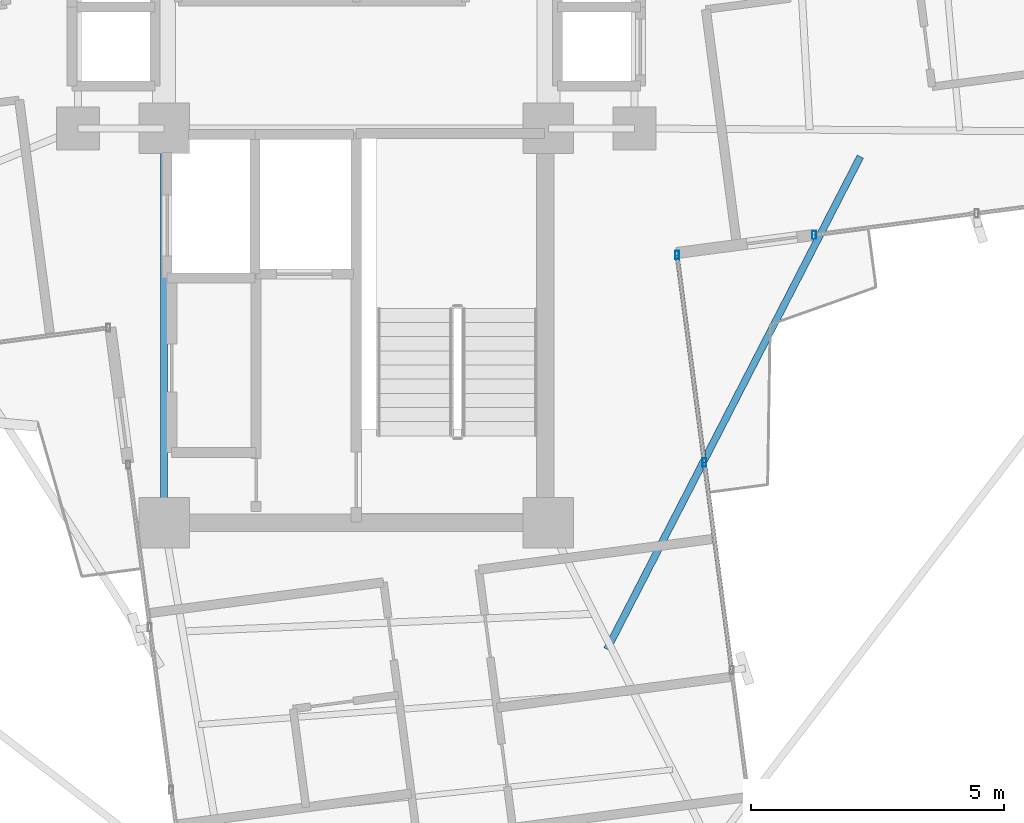
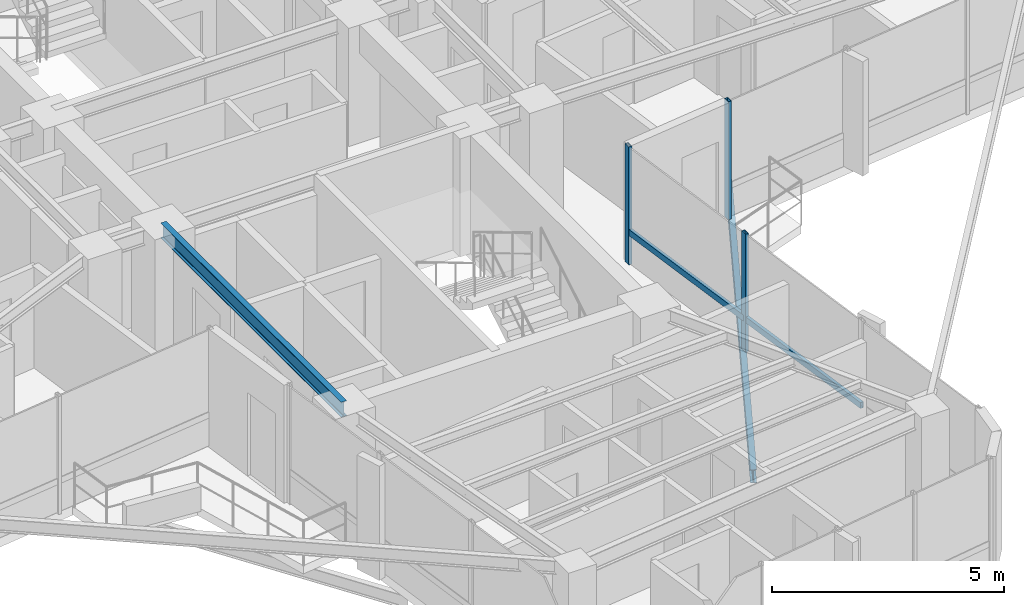
# One storey, part 5 of 22: 5 members, 2 beams, 2 elements without a shape of their own.
"""IFC4 building model written with IfcOpenShell, lengths in metres."""

from ifc_helpers import new_model, si_unit, direction, frame, origin, origin_2d, place, context, subcontext, project, spatial, hollow_rectangle, i_section, extrude, source, transform, mapped, material, material_profile, profile_set, type_object, element, aggregate, save


model = new_model("IFC4")

# Units and contexts
model_context = context("Model", 3, precision=1e-05, world=origin(), true_north=direction((0.0, 1.0)))
body_context = subcontext(model_context, "Body", "Model", "MODEL_VIEW")
ifc_project = project(units=[si_unit("LENGTHUNIT", "METRE"), si_unit("AREAUNIT", "SQUARE_METRE"), si_unit("VOLUMEUNIT", "CUBIC_METRE"), si_unit("PLANEANGLEUNIT", "RADIAN"), si_unit("MASSUNIT", "GRAM", prefix="KILO")], contexts=[model_context])

# Site, building, storey
site_placement = place(None, origin())
site = spatial("IfcSite", under=ifc_project, at=site_placement, CompositionType="ELEMENT")
building_placement = place(site_placement, origin())
building = spatial("IfcBuilding", under=site, at=building_placement, Name="Sahyath Konkavel Grand Hotel", CompositionType="ELEMENT")
storey_placement = place(building_placement, frame((0.0, 0.0, 206.5)))
storey = spatial("IfcBuildingStorey", under=building, at=storey_placement, Name="L57", CompositionType="ELEMENT", Elevation=206.5)

# Beam
ifc_material_1 = material(Name="Steel E350", Category="steel")
ifc_material_profile_1 = material_profile(ifc_material_1, i_section(OverallWidth=0.139892578125, OverallDepth=0.39990234375, WebThickness=0.0087890625, FlangeThickness=0.01611328125, FilletRadius=0.013916015625, at=origin_2d()), Name="ISMB 400")
ifc_profile_set_1 = profile_set([ifc_material_profile_1], Name="Steel E350")
beam_type_1 = type_object("IfcBeamType", Name="BM-ISMB400", PredefinedType="BEAM", material=ifc_profile_set_1)
shared_shape_1 = source(origin(), body_context, "Body", "SweptSolid", [
    extrude(i_section(OverallWidth=0.139892578125, OverallDepth=0.39990234375, WebThickness=0.0087890625, FlangeThickness=0.01611328125, FilletRadius=0.013916015625, at=origin_2d()), origin(), (0.0, 0.0, 1.0), 7.800048828125),
])
beam_1_placement = place(storey_placement, frame((-3.800048828125, -10.199951171875, 2.909912109375), z_axis=(0.0, 1.0, 0.0), x_axis=(-1.0, 0.0, 0.0)))
element("IfcBeam", 1, at=beam_1_placement, inside=storey, type_object=beam_type_1, Name="str:bm:L57:SC-W", PredefinedType="BEAM", context=body_context, shape_type="MappedRepresentation", body=[
    mapped(shared_shape_1, transform((0.0, 0.0, 0.0), scale=1.0)),
])

# Curtain wall, member
ifc_material_2 = material(Name="Anodised Bronze Aluminium & Low-E Glazing", Category="aluminium")
curtain_wall_type = type_object("IfcCurtainWallType", Name="CW-ZONE4", PredefinedType="NOTDEFINED", material=ifc_material_2)
curtain_wall_1_placement = place(storey_placement, origin())
curtain_wall_1 = element("IfcCurtainWall", 2, at=curtain_wall_1_placement, inside=storey, type_object=curtain_wall_type, Name="L57 Unitised Curtain Wall F0", PredefinedType="NOTDEFINED")
ifc_material_3 = material(Name="Anodised Bronze Aluminium", Category="aluminium")
ifc_material_profile_2 = material_profile(ifc_material_3, hollow_rectangle(XDim=0.080078125, YDim=0.159912109375, WallThickness=0.006103515625, at=origin_2d()), Name="RHS 160x80x6")
ifc_profile_set_2 = profile_set([ifc_material_profile_2], Name="Anodised Bronze Aluminium")
member_type_1 = type_object("IfcMemberType", Name="CW-MUL-160", PredefinedType="MULLION", material=ifc_profile_set_2)
shared_shape_2 = source(origin(), body_context, "Body", "SweptSolid", [
    extrude(hollow_rectangle(XDim=0.080078125, YDim=0.159912109375, WallThickness=0.006103515625, at=origin_2d()), origin(), (0.0, 0.0, 1.0), 3.110107421875),
])
member_1_placement = place(storey_placement, frame((9.0556640625, -4.506591796875, 0.0), z_axis=(0.0, 0.0, 1.0), x_axis=(1.0, 0.0, 0.0)))
member_1 = element("IfcMember", 3, at=member_1_placement, type_object=member_type_1, Name="L57 Curtain Wall Mullion F0-0", PredefinedType="MULLION", context=body_context, shape_type="MappedRepresentation", body=[
    mapped(shared_shape_2, transform((0.0, 0.0, 0.0), scale=1.0)),
])
aggregate(curtain_wall_1, [member_1])

# Curtain wall, members
curtain_wall_2_placement = place(storey_placement, origin())
curtain_wall_2 = element("IfcCurtainWall", 4, at=curtain_wall_2_placement, inside=storey, type_object=curtain_wall_type, Name="L57 Unitised Curtain Wall F31", PredefinedType="NOTDEFINED")
member_2_placement = place(storey_placement, frame((6.884765625, -9.008544921875, 0.0), z_axis=(0.0, 0.0, 1.0), x_axis=(1.0, 0.0, 0.0)))
member_2 = element("IfcMember", 5, at=member_2_placement, type_object=member_type_1, Name="L57 Curtain Wall Mullion F31-2", PredefinedType="MULLION", context=body_context, shape_type="MappedRepresentation", body=[
    mapped(shared_shape_2, transform((0.0, 0.0, 0.0), scale=1.0)),
])
member_3_placement = place(storey_placement, frame((6.34423828125, -4.90380859375, 0.0), z_axis=(0.0, 0.0, 1.0), x_axis=(1.0, 0.0, 0.0)))
member_3 = element("IfcMember", 6, at=member_3_placement, type_object=member_type_1, Name="L57 Curtain Wall Mullion F31-3", PredefinedType="MULLION", context=body_context, shape_type="MappedRepresentation", body=[
    mapped(shared_shape_2, transform((0.0, 0.0, 0.0), scale=1.0)),
])

# Beam
ifc_material_profile_3 = material_profile(ifc_material_1, i_section(OverallWidth=0.139892578125, OverallDepth=0.35009765625, WebThickness=0.008056640625, FlangeThickness=0.01416015625, FilletRadius=0.013916015625, at=origin_2d()), Name="ISMB 350")
ifc_profile_set_3 = profile_set([ifc_material_profile_3], Name="Steel E350")
beam_type_2 = type_object("IfcBeamType", Name="BM-BALC-CANT", PredefinedType="BEAM", material=ifc_profile_set_3)
shared_shape_3 = source(origin(), body_context, "Body", "SweptSolid", [
    extrude(i_section(OverallWidth=0.139892578125, OverallDepth=0.35009765625, WebThickness=0.008056640625, FlangeThickness=0.01416015625, FilletRadius=0.013916015625, at=origin_2d()), origin(), (0.0, 0.0, 1.0), 10.95556640625),
])
beam_2_placement = place(storey_placement, frame((4.959716796875, -12.703125, -0.4150390625), z_axis=(0.457186878355, 0.889370652912, 0.0), x_axis=(-0.889370652912, 0.457186878355, 0.0)))
element("IfcBeam", 7, at=beam_2_placement, inside=storey, type_object=beam_type_2, Name="L57 Balcony Cantilever Support Beam SE", PredefinedType="BEAM", context=body_context, shape_type="MappedRepresentation", body=[
    mapped(shared_shape_3, transform((0.0, 0.0, 0.0), scale=1.0)),
])

# Member
ifc_material_profile_4 = material_profile(ifc_material_3, hollow_rectangle(XDim=0.080078125, YDim=0.159912109375, WallThickness=0.006103515625, at=origin_2d()), Name="RHS 160x80x6")
ifc_profile_set_4 = profile_set([ifc_material_profile_4], Name="Anodised Bronze Aluminium")
member_type_2 = type_object("IfcMemberType", Name="CW-TRN-160", PredefinedType="USERDEFINED", material=ifc_profile_set_4)
shared_shape_4 = source(origin(), body_context, "Body", "SweptSolid", [
    extrude(hollow_rectangle(XDim=0.080078125, YDim=0.159912109375, WallThickness=0.006103515625, at=origin_2d()), origin(), (0.0, 0.0, 1.0), 4.139892578125),
])
member_4_placement = place(storey_placement, frame((7.425048828125, -13.113037109375, 0.85009765625), z_axis=(-0.130506379383, 0.991447469582, 0.0), x_axis=(-0.991447469582, -0.130506379383, 0.0)))
member_4 = element("IfcMember", 8, at=member_4_placement, type_object=member_type_2, Name="L57 Curtain Wall Transom F31-1-spandrel", ObjectType="TRANSOM", PredefinedType="USERDEFINED", context=body_context, shape_type="MappedRepresentation", body=[
    mapped(shared_shape_4, transform((0.0, 0.0, 0.0), scale=1.0)),
])

shared_shape_5 = source(origin(), body_context, "Body", "SweptSolid", [
    extrude(hollow_rectangle(XDim=0.080078125, YDim=0.159912109375, WallThickness=0.006103515625, at=origin_2d()), origin(), (0.0, 0.0, 1.0), 4.14013671875),
])
member_5_placement = place(storey_placement, frame((6.884765625, -9.008544921875, 0.85009765625), z_axis=(-0.130556713596, 0.99144084268, 0.0), x_axis=(-0.99144084268, -0.130556713596, 0.0)))
member_5 = element("IfcMember", 9, at=member_5_placement, type_object=member_type_2, Name="L57 Curtain Wall Transom F31-2-spandrel", ObjectType="TRANSOM", PredefinedType="USERDEFINED", context=body_context, shape_type="MappedRepresentation", body=[
    mapped(shared_shape_5, transform((0.0, 0.0, 0.0), scale=1.0)),
])

aggregate(curtain_wall_2, [member_2, member_3, member_4, member_5])

save(model, "model.ifc")
